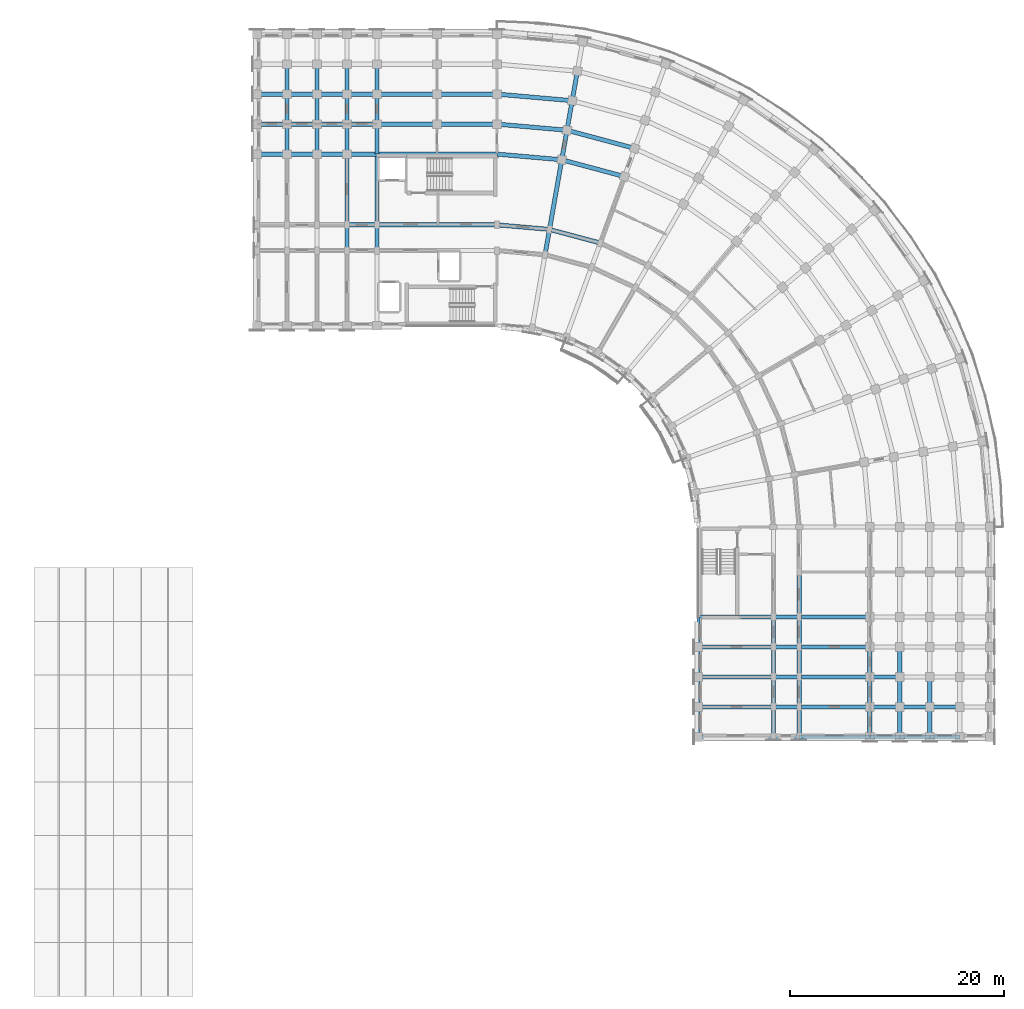
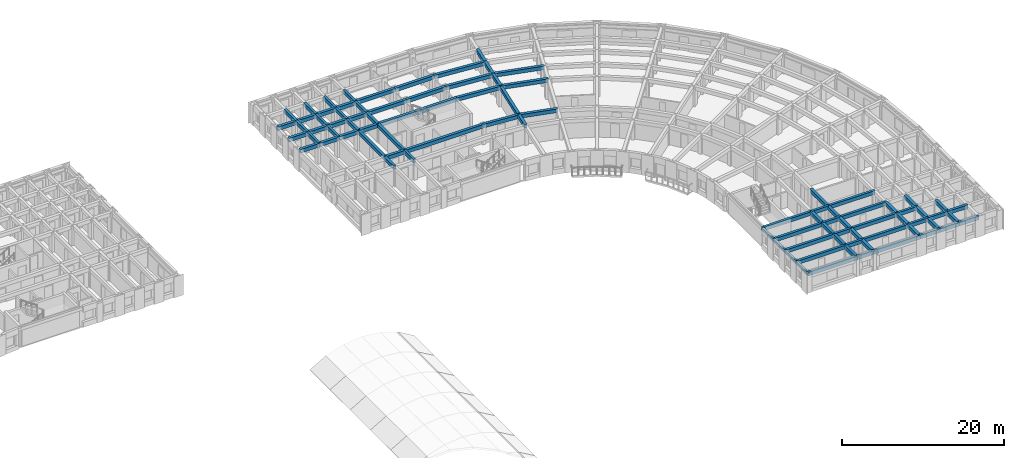
# One storey, part 10 of 54: 90 beams.
"""IFC4 building model written with IfcOpenShell, lengths in metres."""

from ifc_helpers import new_model, si_unit, direction, frame, origin, origin_2d, place, context, subcontext, project, spatial, rectangle, extrude, material, material_profile, profile_set, type_object, element, save


model = new_model("IFC4")

# Units and contexts
model_context = context("Model", 3, precision=1e-05, world=origin(), true_north=direction((0.0, 1.0)))
body_context = subcontext(model_context, "Body", "Model", "MODEL_VIEW")
ifc_project = project(units=[si_unit("LENGTHUNIT", "METRE"), si_unit("AREAUNIT", "SQUARE_METRE"), si_unit("VOLUMEUNIT", "CUBIC_METRE"), si_unit("PLANEANGLEUNIT", "RADIAN"), si_unit("MASSUNIT", "GRAM", prefix="KILO")], contexts=[model_context])

# Site, building, storey
site_placement = place(None, origin())
site = spatial("IfcSite", under=ifc_project, at=site_placement, CompositionType="ELEMENT")
building_placement = place(site_placement, origin())
building = spatial("IfcBuilding", under=site, at=building_placement, Name="Kiranvali Square Residences", CompositionType="ELEMENT")
storey_placement = place(building_placement, frame((0.0, 0.0, 15.0)))
storey = spatial("IfcBuildingStorey", under=building, at=storey_placement, Name="L04", CompositionType="ELEMENT", Elevation=15.0)

# Beams
ifc_material_1 = material(Name="Concrete M40 (40 MPa)", Category="concrete")
ifc_material_profile_1 = material_profile(ifc_material_1, rectangle(XDim=0.35009765625, YDim=0.550048828125, at=origin_2d()), Name="RC 350x550")
ifc_profile_set_1 = profile_set([ifc_material_profile_1], Name="Concrete M40 (40 MPa)")
beam_type_1 = type_object("IfcBeamType", Name="BM-M40-350x550", PredefinedType="BEAM", material=ifc_profile_set_1)
beam_1_placement = place(storey_placement, frame((108.60009765625, 113.60009765625, 2.655029296875), z_axis=(0.0, 1.0, 0.0), x_axis=(-1.0, 0.0, 0.0)))
element("IfcBeam", 1, at=beam_1_placement, inside=storey, type_object=beam_type_1, Name="L04 beam BM-B-L04-A1T1-12", PredefinedType="BEAM", context=body_context, shape_type="SweptSolid", body=[
    extrude(rectangle(XDim=0.35009765625, YDim=0.550048828125, at=origin_2d()), origin(), (0.0, 0.0, 1.0), 2.39990234375),
])
beam_2_placement = place(storey_placement, frame((108.60009765625, 116.0, 2.655029296875), z_axis=(0.0, 1.0, 0.0), x_axis=(-1.0, 0.0, 0.0)))
element("IfcBeam", 2, at=beam_2_placement, inside=storey, type_object=beam_type_1, Name="L04 beam BM-B-L04-A1T1-23", PredefinedType="BEAM", context=body_context, shape_type="SweptSolid", body=[
    extrude(rectangle(XDim=0.35009765625, YDim=0.550048828125, at=origin_2d()), origin(), (0.0, 0.0, 1.0), 6.60009765625),
])
beam_3_placement = place(storey_placement, frame((108.60009765625, 122.60009765625, 2.655029296875), z_axis=(0.0, 1.0, 0.0), x_axis=(-1.0, 0.0, 0.0)))
element("IfcBeam", 3, at=beam_3_placement, inside=storey, type_object=beam_type_1, Name="L04 beam BM-B-L04-A1T1-34", PredefinedType="BEAM", context=body_context, shape_type="SweptSolid", body=[
    extrude(rectangle(XDim=0.35009765625, YDim=0.550048828125, at=origin_2d()), origin(), (0.0, 0.0, 1.0), 2.7998046875),
])
for number, where, z_axis, x_axis, name in (
    (4, (108.60009765625, 125.39990234375, 2.655029296875), (0.0, 1.0, 0.0), (-1.0, 0.0, 0.0), "L04 beam BM-B-L04-A1T1-45"),
    (5, (108.60009765625, 128.199951171875, 2.655029296875), (0.0, 1.0, 0.0), (-1.0, 0.0, 0.0), "L04 beam BM-B-L04-A1T1-56"),
):
    element("IfcBeam", number, at=place(storey_placement, frame(where, z_axis=z_axis, x_axis=x_axis)), inside=storey, type_object=beam_type_1, Name=name, PredefinedType="BEAM", context=body_context, shape_type="SweptSolid", body=[
        extrude(rectangle(XDim=0.35009765625, YDim=0.550048828125, at=origin_2d()), origin(), (0.0, 0.0, 1.0), 2.800048828125),
    ])
beam_4_placement = place(storey_placement, frame((105.800048828125, 113.60009765625, 2.655029296875), z_axis=(0.0, 1.0, 0.0), x_axis=(-1.0, 0.0, 0.0)))
element("IfcBeam", 6, at=beam_4_placement, inside=storey, type_object=beam_type_1, Name="L04 beam BM-B-L04-A1T2-12", PredefinedType="BEAM", context=body_context, shape_type="SweptSolid", body=[
    extrude(rectangle(XDim=0.35009765625, YDim=0.550048828125, at=origin_2d()), origin(), (0.0, 0.0, 1.0), 2.39990234375),
])
beam_5_placement = place(storey_placement, frame((105.800048828125, 116.0, 2.655029296875), z_axis=(0.0, 1.0, 0.0), x_axis=(-1.0, 0.0, 0.0)))
element("IfcBeam", 7, at=beam_5_placement, inside=storey, type_object=beam_type_1, Name="L04 beam BM-B-L04-A1T2-23", PredefinedType="BEAM", context=body_context, shape_type="SweptSolid", body=[
    extrude(rectangle(XDim=0.35009765625, YDim=0.550048828125, at=origin_2d()), origin(), (0.0, 0.0, 1.0), 6.60009765625),
])
beam_6_placement = place(storey_placement, frame((105.800048828125, 122.60009765625, 2.655029296875), z_axis=(0.0, 1.0, 0.0), x_axis=(-1.0, 0.0, 0.0)))
element("IfcBeam", 8, at=beam_6_placement, inside=storey, type_object=beam_type_1, Name="L04 beam BM-B-L04-A1T2-34", PredefinedType="BEAM", context=body_context, shape_type="SweptSolid", body=[
    extrude(rectangle(XDim=0.35009765625, YDim=0.550048828125, at=origin_2d()), origin(), (0.0, 0.0, 1.0), 2.7998046875),
])
for number, where, z_axis, x_axis, name in (
    (9, (105.800048828125, 125.39990234375, 2.655029296875), (0.0, 1.0, 0.0), (-1.0, 0.0, 0.0), "L04 beam BM-B-L04-A1T2-45"),
    (10, (105.800048828125, 128.199951171875, 2.655029296875), (0.0, 1.0, 0.0), (-1.0, 0.0, 0.0), "L04 beam BM-B-L04-A1T2-56"),
):
    element("IfcBeam", number, at=place(storey_placement, frame(where, z_axis=z_axis, x_axis=x_axis)), inside=storey, type_object=beam_type_1, Name=name, PredefinedType="BEAM", context=body_context, shape_type="SweptSolid", body=[
        extrude(rectangle(XDim=0.35009765625, YDim=0.550048828125, at=origin_2d()), origin(), (0.0, 0.0, 1.0), 2.800048828125),
    ])
beam_7_placement = place(storey_placement, frame((103.0, 122.60009765625, 2.655029296875), z_axis=(0.0, 1.0, 0.0), x_axis=(-1.0, 0.0, 0.0)))
element("IfcBeam", 11, at=beam_7_placement, inside=storey, type_object=beam_type_1, Name="L04 beam BM-B-L04-A1T3-34", PredefinedType="BEAM", context=body_context, shape_type="SweptSolid", body=[
    extrude(rectangle(XDim=0.35009765625, YDim=0.550048828125, at=origin_2d()), origin(), (0.0, 0.0, 1.0), 2.7998046875),
])
for number, where, z_axis, x_axis, name in (
    (12, (103.0, 125.39990234375, 2.655029296875), (0.0, 1.0, 0.0), (-1.0, 0.0, 0.0), "L04 beam BM-B-L04-A1T3-45"),
    (13, (103.0, 128.199951171875, 2.655029296875), (0.0, 1.0, 0.0), (-1.0, 0.0, 0.0), "L04 beam BM-B-L04-A1T3-56"),
):
    element("IfcBeam", number, at=place(storey_placement, frame(where, z_axis=z_axis, x_axis=x_axis)), inside=storey, type_object=beam_type_1, Name=name, PredefinedType="BEAM", context=body_context, shape_type="SweptSolid", body=[
        extrude(rectangle(XDim=0.35009765625, YDim=0.550048828125, at=origin_2d()), origin(), (0.0, 0.0, 1.0), 2.800048828125),
    ])
beam_8_placement = place(storey_placement, frame((100.199951171875, 122.60009765625, 2.655029296875), z_axis=(0.0, 1.0, 0.0), x_axis=(-1.0, 0.0, 0.0)))
element("IfcBeam", 14, at=beam_8_placement, inside=storey, type_object=beam_type_1, Name="L04 beam BM-B-L04-A1T4-34", PredefinedType="BEAM", context=body_context, shape_type="SweptSolid", body=[
    extrude(rectangle(XDim=0.35009765625, YDim=0.550048828125, at=origin_2d()), origin(), (0.0, 0.0, 1.0), 2.7998046875),
])
for number, where, z_axis, x_axis, name in (
    (15, (100.199951171875, 125.39990234375, 2.655029296875), (0.0, 1.0, 0.0), (-1.0, 0.0, 0.0), "L04 beam BM-B-L04-A1T4-45"),
    (16, (100.199951171875, 128.199951171875, 2.655029296875), (0.0, 1.0, 0.0), (-1.0, 0.0, 0.0), "L04 beam BM-B-L04-A1T4-56"),
):
    element("IfcBeam", number, at=place(storey_placement, frame(where, z_axis=z_axis, x_axis=x_axis)), inside=storey, type_object=beam_type_1, Name=name, PredefinedType="BEAM", context=body_context, shape_type="SweptSolid", body=[
        extrude(rectangle(XDim=0.35009765625, YDim=0.550048828125, at=origin_2d()), origin(), (0.0, 0.0, 1.0), 2.800048828125),
    ])
beam_9_placement = place(storey_placement, frame((138.60009765625, 79.39990234375, 2.655029296875), z_axis=(1.0, 0.0, 0.0), x_axis=(0.0, 1.0, 0.0)))
element("IfcBeam", 17, at=beam_9_placement, inside=storey, type_object=beam_type_1, Name="L04 beam BM-B-L04-A2T1-01", PredefinedType="BEAM", context=body_context, shape_type="SweptSolid", body=[
    extrude(rectangle(XDim=0.35009765625, YDim=0.550048828125, at=origin_2d()), origin(), (0.0, 0.0, 1.0), 7.0),
])
beam_10_placement = place(storey_placement, frame((145.60009765625, 79.39990234375, 2.655029296875), z_axis=(1.0, 0.0, 0.0), x_axis=(0.0, 1.0, 0.0)))
element("IfcBeam", 18, at=beam_10_placement, inside=storey, type_object=beam_type_1, Name="L04 beam BM-B-L04-A2T1-12", PredefinedType="BEAM", context=body_context, shape_type="SweptSolid", body=[
    extrude(rectangle(XDim=0.35009765625, YDim=0.550048828125, at=origin_2d()), origin(), (0.0, 0.0, 1.0), 2.39990234375),
])
beam_11_placement = place(storey_placement, frame((148.0, 79.39990234375, 2.655029296875), z_axis=(1.0, 0.0, 0.0), x_axis=(0.0, 1.0, 0.0)))
element("IfcBeam", 19, at=beam_11_placement, inside=storey, type_object=beam_type_1, Name="L04 beam BM-B-L04-A2T1-23", PredefinedType="BEAM", context=body_context, shape_type="SweptSolid", body=[
    extrude(rectangle(XDim=0.35009765625, YDim=0.550048828125, at=origin_2d()), origin(), (0.0, 0.0, 1.0), 6.60009765625),
])
beam_12_placement = place(storey_placement, frame((138.60009765625, 76.60009765625, 2.655029296875), z_axis=(1.0, 0.0, 0.0), x_axis=(0.0, 1.0, 0.0)))
element("IfcBeam", 20, at=beam_12_placement, inside=storey, type_object=beam_type_1, Name="L04 beam BM-B-L04-A2T2-01", PredefinedType="BEAM", context=body_context, shape_type="SweptSolid", body=[
    extrude(rectangle(XDim=0.35009765625, YDim=0.550048828125, at=origin_2d()), origin(), (0.0, 0.0, 1.0), 7.0),
])
beam_13_placement = place(storey_placement, frame((145.60009765625, 76.60009765625, 2.655029296875), z_axis=(1.0, 0.0, 0.0), x_axis=(0.0, 1.0, 0.0)))
element("IfcBeam", 21, at=beam_13_placement, inside=storey, type_object=beam_type_1, Name="L04 beam BM-B-L04-A2T2-12", PredefinedType="BEAM", context=body_context, shape_type="SweptSolid", body=[
    extrude(rectangle(XDim=0.35009765625, YDim=0.550048828125, at=origin_2d()), origin(), (0.0, 0.0, 1.0), 2.39990234375),
])
beam_14_placement = place(storey_placement, frame((148.0, 76.60009765625, 2.655029296875), z_axis=(1.0, 0.0, 0.0), x_axis=(0.0, 1.0, 0.0)))
element("IfcBeam", 22, at=beam_14_placement, inside=storey, type_object=beam_type_1, Name="L04 beam BM-B-L04-A2T2-23", PredefinedType="BEAM", context=body_context, shape_type="SweptSolid", body=[
    extrude(rectangle(XDim=0.35009765625, YDim=0.550048828125, at=origin_2d()), origin(), (0.0, 0.0, 1.0), 6.60009765625),
])
beam_15_placement = place(storey_placement, frame((138.60009765625, 73.800048828125, 2.655029296875), z_axis=(1.0, 0.0, 0.0), x_axis=(0.0, 1.0, 0.0)))
element("IfcBeam", 23, at=beam_15_placement, inside=storey, type_object=beam_type_1, Name="L04 beam BM-B-L04-A2T3-01", PredefinedType="BEAM", context=body_context, shape_type="SweptSolid", body=[
    extrude(rectangle(XDim=0.35009765625, YDim=0.550048828125, at=origin_2d()), origin(), (0.0, 0.0, 1.0), 7.0),
])
beam_16_placement = place(storey_placement, frame((145.60009765625, 73.800048828125, 2.655029296875), z_axis=(1.0, 0.0, 0.0), x_axis=(0.0, 1.0, 0.0)))
element("IfcBeam", 24, at=beam_16_placement, inside=storey, type_object=beam_type_1, Name="L04 beam BM-B-L04-A2T3-12", PredefinedType="BEAM", context=body_context, shape_type="SweptSolid", body=[
    extrude(rectangle(XDim=0.35009765625, YDim=0.550048828125, at=origin_2d()), origin(), (0.0, 0.0, 1.0), 2.39990234375),
])
beam_17_placement = place(storey_placement, frame((148.0, 73.800048828125, 2.655029296875), z_axis=(1.0, 0.0, 0.0), x_axis=(0.0, 1.0, 0.0)))
element("IfcBeam", 25, at=beam_17_placement, inside=storey, type_object=beam_type_1, Name="L04 beam BM-B-L04-A2T3-23", PredefinedType="BEAM", context=body_context, shape_type="SweptSolid", body=[
    extrude(rectangle(XDim=0.35009765625, YDim=0.550048828125, at=origin_2d()), origin(), (0.0, 0.0, 1.0), 6.60009765625),
])
beam_18_placement = place(storey_placement, frame((154.60009765625, 73.800048828125, 2.655029296875), z_axis=(1.0, 0.0, 0.0), x_axis=(0.0, 1.0, 0.0)))
element("IfcBeam", 26, at=beam_18_placement, inside=storey, type_object=beam_type_1, Name="L04 beam BM-B-L04-A2T3-34", PredefinedType="BEAM", context=body_context, shape_type="SweptSolid", body=[
    extrude(rectangle(XDim=0.35009765625, YDim=0.550048828125, at=origin_2d()), origin(), (0.0, 0.0, 1.0), 2.7998046875),
])
beam_19_placement = place(storey_placement, frame((138.60009765625, 71.0, 2.655029296875), z_axis=(1.0, 0.0, 0.0), x_axis=(0.0, 1.0, 0.0)))
element("IfcBeam", 27, at=beam_19_placement, inside=storey, type_object=beam_type_1, Name="L04 beam BM-B-L04-A2T4-01", PredefinedType="BEAM", context=body_context, shape_type="SweptSolid", body=[
    extrude(rectangle(XDim=0.35009765625, YDim=0.550048828125, at=origin_2d()), origin(), (0.0, 0.0, 1.0), 7.0),
])
beam_20_placement = place(storey_placement, frame((145.60009765625, 71.0, 2.655029296875), z_axis=(1.0, 0.0, 0.0), x_axis=(0.0, 1.0, 0.0)))
element("IfcBeam", 28, at=beam_20_placement, inside=storey, type_object=beam_type_1, Name="L04 beam BM-B-L04-A2T4-12", PredefinedType="BEAM", context=body_context, shape_type="SweptSolid", body=[
    extrude(rectangle(XDim=0.35009765625, YDim=0.550048828125, at=origin_2d()), origin(), (0.0, 0.0, 1.0), 2.39990234375),
])
beam_21_placement = place(storey_placement, frame((148.0, 71.0, 2.655029296875), z_axis=(1.0, 0.0, 0.0), x_axis=(0.0, 1.0, 0.0)))
element("IfcBeam", 29, at=beam_21_placement, inside=storey, type_object=beam_type_1, Name="L04 beam BM-B-L04-A2T4-23", PredefinedType="BEAM", context=body_context, shape_type="SweptSolid", body=[
    extrude(rectangle(XDim=0.35009765625, YDim=0.550048828125, at=origin_2d()), origin(), (0.0, 0.0, 1.0), 6.60009765625),
])
beam_22_placement = place(storey_placement, frame((154.60009765625, 71.0, 2.655029296875), z_axis=(1.0, 0.0, 0.0), x_axis=(0.0, 1.0, 0.0)))
element("IfcBeam", 30, at=beam_22_placement, inside=storey, type_object=beam_type_1, Name="L04 beam BM-B-L04-A2T4-34", PredefinedType="BEAM", context=body_context, shape_type="SweptSolid", body=[
    extrude(rectangle(XDim=0.35009765625, YDim=0.550048828125, at=origin_2d()), origin(), (0.0, 0.0, 1.0), 2.7998046875),
])
for number, where, z_axis, x_axis, name in (
    (31, (157.39990234375, 71.0, 2.655029296875), (1.0, 0.0, 0.0), (0.0, 1.0, 0.0), "L04 beam BM-B-L04-A2T4-45"),
    (32, (160.199951171875, 71.0, 2.655029296875), (1.0, 0.0, 0.0), (0.0, 1.0, 0.0), "L04 beam BM-B-L04-A2T4-56"),
):
    element("IfcBeam", number, at=place(storey_placement, frame(where, z_axis=z_axis, x_axis=x_axis)), inside=storey, type_object=beam_type_1, Name=name, PredefinedType="BEAM", context=body_context, shape_type="SweptSolid", body=[
        extrude(rectangle(XDim=0.35009765625, YDim=0.550048828125, at=origin_2d()), origin(), (0.0, 0.0, 1.0), 2.800048828125),
    ])
beam_23_placement = place(storey_placement, frame((138.60009765625, 68.199951171875, 2.655029296875), z_axis=(1.0, 0.0, 0.0), x_axis=(0.0, 1.0, 0.0)))
element("IfcBeam", 33, at=beam_23_placement, inside=storey, type_object=beam_type_1, Name="L04 beam BM-B-L04-A2T5-01", PredefinedType="BEAM", context=body_context, shape_type="SweptSolid", body=[
    extrude(rectangle(XDim=0.35009765625, YDim=0.550048828125, at=origin_2d()), origin(), (0.0, 0.0, 1.0), 7.0),
])
beam_24_placement = place(storey_placement, frame((145.60009765625, 68.199951171875, 2.655029296875), z_axis=(1.0, 0.0, 0.0), x_axis=(0.0, 1.0, 0.0)))
element("IfcBeam", 34, at=beam_24_placement, inside=storey, type_object=beam_type_1, Name="L04 beam BM-B-L04-A2T5-12", PredefinedType="BEAM", context=body_context, shape_type="SweptSolid", body=[
    extrude(rectangle(XDim=0.35009765625, YDim=0.550048828125, at=origin_2d()), origin(), (0.0, 0.0, 1.0), 2.39990234375),
])
beam_25_placement = place(storey_placement, frame((148.0, 68.199951171875, 2.655029296875), z_axis=(1.0, 0.0, 0.0), x_axis=(0.0, 1.0, 0.0)))
element("IfcBeam", 35, at=beam_25_placement, inside=storey, type_object=beam_type_1, Name="L04 beam BM-B-L04-A2T5-23", PredefinedType="BEAM", context=body_context, shape_type="SweptSolid", body=[
    extrude(rectangle(XDim=0.35009765625, YDim=0.550048828125, at=origin_2d()), origin(), (0.0, 0.0, 1.0), 6.60009765625),
])
beam_26_placement = place(storey_placement, frame((154.60009765625, 68.199951171875, 2.655029296875), z_axis=(1.0, 0.0, 0.0), x_axis=(0.0, 1.0, 0.0)))
element("IfcBeam", 36, at=beam_26_placement, inside=storey, type_object=beam_type_1, Name="L04 beam BM-B-L04-A2T5-34", PredefinedType="BEAM", context=body_context, shape_type="SweptSolid", body=[
    extrude(rectangle(XDim=0.35009765625, YDim=0.550048828125, at=origin_2d()), origin(), (0.0, 0.0, 1.0), 2.7998046875),
])
for number, where, z_axis, x_axis, name in (
    (37, (157.39990234375, 68.199951171875, 2.655029296875), (1.0, 0.0, 0.0), (0.0, 1.0, 0.0), "L04 beam BM-B-L04-A2T5-45"),
    (38, (160.199951171875, 68.199951171875, 2.655029296875), (1.0, 0.0, 0.0), (0.0, 1.0, 0.0), "L04 beam BM-B-L04-A2T5-56"),
):
    element("IfcBeam", number, at=place(storey_placement, frame(where, z_axis=z_axis, x_axis=x_axis)), inside=storey, type_object=beam_type_1, Name=name, PredefinedType="BEAM", context=body_context, shape_type="SweptSolid", body=[
        extrude(rectangle(XDim=0.35009765625, YDim=0.550048828125, at=origin_2d()), origin(), (0.0, 0.0, 1.0), 2.800048828125),
    ])
ifc_material_2 = material(Name="Concrete M45 (45 MPa)", Category="concrete")
ifc_material_profile_2 = material_profile(ifc_material_2, rectangle(XDim=0.39990234375, YDim=0.550048828125, at=origin_2d()), Name="RC 400x550")
ifc_profile_set_2 = profile_set([ifc_material_profile_2], Name="Concrete M45 (45 MPa)")
beam_type_2 = type_object("IfcBeamType", Name="BM-M45-400x550", PredefinedType="BEAM", material=ifc_profile_set_2)
beam_27_placement = place(storey_placement, frame((119.800048828125, 116.0, 2.655029296875), z_axis=(0.996193663584, -0.087167566415, 0.0), x_axis=(0.087167566415, 0.996193663584, 0.0)))
element("IfcBeam", 39, at=beam_27_placement, inside=storey, type_object=beam_type_2, Name="L04 beam BM-B-L04-C00-R2", PredefinedType="BEAM", context=body_context, shape_type="SweptSolid", body=[
    extrude(rectangle(XDim=0.39990234375, YDim=0.550048828125, at=origin_2d()), origin(), (0.0, 0.0, 1.0), 4.91552734375),
])
beam_28_placement = place(storey_placement, frame((119.800048828125, 122.60009765625, 2.655029296875), z_axis=(0.996193018494, -0.087174938512, 0.0), x_axis=(0.087174938512, 0.996193018494, 0.0)))
element("IfcBeam", 40, at=beam_28_placement, inside=storey, type_object=beam_type_2, Name="L04 beam BM-B-L04-C00-R3", PredefinedType="BEAM", context=body_context, shape_type="SweptSolid", body=[
    extrude(rectangle(XDim=0.39990234375, YDim=0.550048828125, at=origin_2d()), origin(), (0.0, 0.0, 1.0), 6.066162109375),
])
beam_29_placement = place(storey_placement, frame((119.800048828125, 125.39990234375, 2.655029296875), z_axis=(0.996196991902, -0.0871295204, 0.0), x_axis=(0.0871295204, 0.996196991902, 0.0)))
element("IfcBeam", 41, at=beam_29_placement, inside=storey, type_object=beam_type_2, Name="L04 beam BM-B-L04-C00-R4", PredefinedType="BEAM", context=body_context, shape_type="SweptSolid", body=[
    extrude(rectangle(XDim=0.39990234375, YDim=0.550048828125, at=origin_2d()), origin(), (0.0, 0.0, 1.0), 6.553955078125),
])
beam_30_placement = place(storey_placement, frame((119.800048828125, 128.199951171875, 2.655029296875), z_axis=(0.996194658198, -0.087156198737, 0.0), x_axis=(0.087156198737, 0.996194658198, 0.0)))
element("IfcBeam", 42, at=beam_30_placement, inside=storey, type_object=beam_type_2, Name="L04 beam BM-B-L04-C00-R5", PredefinedType="BEAM", context=body_context, shape_type="SweptSolid", body=[
    extrude(rectangle(XDim=0.39990234375, YDim=0.550048828125, at=origin_2d()), origin(), (0.0, 0.0, 1.0), 7.042236328125),
])
beam_31_placement = place(storey_placement, frame((124.69677734375, 115.571533203125, 2.655029296875), z_axis=(0.965930095386, -0.258803112091, 0.0), x_axis=(0.258803112091, 0.965930095386, 0.0)))
element("IfcBeam", 43, at=beam_31_placement, inside=storey, type_object=beam_type_2, Name="L04 beam BM-B-L04-C01-R2", PredefinedType="BEAM", context=body_context, shape_type="SweptSolid", body=[
    extrude(rectangle(XDim=0.39990234375, YDim=0.550048828125, at=origin_2d()), origin(), (0.0, 0.0, 1.0), 4.915771484375),
])
beam_32_placement = place(storey_placement, frame((125.843017578125, 122.0712890625, 2.655029296875), z_axis=(0.965923618901, -0.258827283048, 0.0), x_axis=(0.258827283048, 0.965923618901, 0.0)))
element("IfcBeam", 44, at=beam_32_placement, inside=storey, type_object=beam_type_2, Name="L04 beam BM-B-L04-C01-R3", PredefinedType="BEAM", context=body_context, shape_type="SweptSolid", body=[
    extrude(rectangle(XDim=0.39990234375, YDim=0.550048828125, at=origin_2d()), origin(), (0.0, 0.0, 1.0), 6.066162109375),
])
beam_33_placement = place(storey_placement, frame((126.3291015625, 124.828857421875, 2.655029296875), z_axis=(0.965918287583, -0.258847178297, 0.0), x_axis=(0.258847178297, 0.965918287583, 0.0)))
element("IfcBeam", 45, at=beam_33_placement, inside=storey, type_object=beam_type_2, Name="L04 beam BM-B-L04-C01-R4", PredefinedType="BEAM", context=body_context, shape_type="SweptSolid", body=[
    extrude(rectangle(XDim=0.39990234375, YDim=0.550048828125, at=origin_2d()), origin(), (0.0, 0.0, 1.0), 6.55419921875),
])
beam_34_placement = place(storey_placement, frame((124.280029296875, 113.2080078125, 2.655029296875), z_axis=(0.173646056486, 0.984808127031, 0.0), x_axis=(-0.984808127031, 0.173646056486, 0.0)))
element("IfcBeam", 46, at=beam_34_placement, inside=storey, type_object=beam_type_2, Name="L04 beam BM-B-L04-RAD01-12", PredefinedType="BEAM", context=body_context, shape_type="SweptSolid", body=[
    extrude(rectangle(XDim=0.39990234375, YDim=0.550048828125, at=origin_2d()), origin(), (0.0, 0.0, 1.0), 2.39990234375),
])
beam_35_placement = place(storey_placement, frame((124.69677734375, 115.571533203125, 2.655029296875), z_axis=(0.173671381499, 0.984803661269, 0.0), x_axis=(-0.984803661269, 0.173671381499, 0.0)))
element("IfcBeam", 47, at=beam_35_placement, inside=storey, type_object=beam_type_2, Name="L04 beam BM-B-L04-RAD01-23", PredefinedType="BEAM", context=body_context, shape_type="SweptSolid", body=[
    extrude(rectangle(XDim=0.39990234375, YDim=0.550048828125, at=origin_2d()), origin(), (0.0, 0.0, 1.0), 6.60009765625),
])
beam_36_placement = place(storey_placement, frame((125.843017578125, 122.0712890625, 2.655029296875), z_axis=(0.173596320392, 0.984816895441, 0.0), x_axis=(-0.984816895441, 0.173596320392, 0.0)))
element("IfcBeam", 48, at=beam_36_placement, inside=storey, type_object=beam_type_2, Name="L04 beam BM-B-L04-RAD01-34", PredefinedType="BEAM", context=body_context, shape_type="SweptSolid", body=[
    extrude(rectangle(XDim=0.39990234375, YDim=0.550048828125, at=origin_2d()), origin(), (0.0, 0.0, 1.0), 2.800048828125),
])
beam_37_placement = place(storey_placement, frame((126.3291015625, 124.828857421875, 2.655029296875), z_axis=(0.173695795656, 0.984799355489, 0.0), x_axis=(-0.984799355489, 0.173695795656, 0.0)))
element("IfcBeam", 49, at=beam_37_placement, inside=storey, type_object=beam_type_2, Name="L04 beam BM-B-L04-RAD01-45", PredefinedType="BEAM", context=body_context, shape_type="SweptSolid", body=[
    extrude(rectangle(XDim=0.39990234375, YDim=0.550048828125, at=origin_2d()), origin(), (0.0, 0.0, 1.0), 2.7998046875),
])
beam_38_placement = place(storey_placement, frame((126.8154296875, 127.586181640625, 2.655029296875), z_axis=(0.173596320392, 0.984816895441, 0.0), x_axis=(-0.984816895441, 0.173596320392, 0.0)))
element("IfcBeam", 50, at=beam_38_placement, inside=storey, type_object=beam_type_2, Name="L04 beam BM-B-L04-RAD01-56", PredefinedType="BEAM", context=body_context, shape_type="SweptSolid", body=[
    extrude(rectangle(XDim=0.39990234375, YDim=0.550048828125, at=origin_2d()), origin(), (0.0, 0.0, 1.0), 2.800048828125),
])
beam_39_placement = place(storey_placement, frame((119.800048828125, 116.0, 2.655029296875), z_axis=(-1.0, 0.0, 0.0), x_axis=(0.0, -1.0, 0.0)))
element("IfcBeam", 51, at=beam_39_placement, inside=storey, type_object=beam_type_2, Name="L04 beam BM-B-L04-A1U0-R2", PredefinedType="BEAM", context=body_context, shape_type="SweptSolid", body=[
    extrude(rectangle(XDim=0.39990234375, YDim=0.550048828125, at=origin_2d()), origin(), (0.0, 0.0, 1.0), 11.199951171875),
])
beam_40_placement = place(storey_placement, frame((108.60009765625, 116.0, 2.655029296875), z_axis=(-1.0, 0.0, 0.0), x_axis=(0.0, -1.0, 0.0)))
element("IfcBeam", 52, at=beam_40_placement, inside=storey, type_object=beam_type_2, Name="L04 beam BM-B-L04-A1U1-R2", PredefinedType="BEAM", context=body_context, shape_type="SweptSolid", body=[
    extrude(rectangle(XDim=0.39990234375, YDim=0.550048828125, at=origin_2d()), origin(), (0.0, 0.0, 1.0), 2.800048828125),
])
beam_41_placement = place(storey_placement, frame((119.800048828125, 122.60009765625, 2.655029296875), z_axis=(-1.0, 0.0, 0.0), x_axis=(0.0, -1.0, 0.0)))
element("IfcBeam", 53, at=beam_41_placement, inside=storey, type_object=beam_type_2, Name="L04 beam BM-B-L04-A1U0-R3", PredefinedType="BEAM", context=body_context, shape_type="SweptSolid", body=[
    extrude(rectangle(XDim=0.39990234375, YDim=0.550048828125, at=origin_2d()), origin(), (0.0, 0.0, 1.0), 11.199951171875),
])
for number, where, z_axis, x_axis, name in (
    (54, (108.60009765625, 122.60009765625, 2.655029296875), (-1.0, 0.0, 0.0), (0.0, -1.0, 0.0), "L04 beam BM-B-L04-A1U1-R3"),
    (55, (105.800048828125, 122.60009765625, 2.655029296875), (-1.0, 0.0, 0.0), (0.0, -1.0, 0.0), "L04 beam BM-B-L04-A1U2-R3"),
    (56, (103.0, 122.60009765625, 2.655029296875), (-1.0, 0.0, 0.0), (0.0, -1.0, 0.0), "L04 beam BM-B-L04-A1U3-R3"),
    (57, (100.199951171875, 122.60009765625, 2.655029296875), (-1.0, 0.0, 0.0), (0.0, -1.0, 0.0), "L04 beam BM-B-L04-A1U4-R3"),
):
    element("IfcBeam", number, at=place(storey_placement, frame(where, z_axis=z_axis, x_axis=x_axis)), inside=storey, type_object=beam_type_2, Name=name, PredefinedType="BEAM", context=body_context, shape_type="SweptSolid", body=[
        extrude(rectangle(XDim=0.39990234375, YDim=0.550048828125, at=origin_2d()), origin(), (0.0, 0.0, 1.0), 2.800048828125),
    ])
beam_42_placement = place(storey_placement, frame((119.800048828125, 125.39990234375, 2.655029296875), z_axis=(-1.0, 0.0, 0.0), x_axis=(0.0, -1.0, 0.0)))
element("IfcBeam", 58, at=beam_42_placement, inside=storey, type_object=beam_type_2, Name="L04 beam BM-B-L04-A1U0-R4", PredefinedType="BEAM", context=body_context, shape_type="SweptSolid", body=[
    extrude(rectangle(XDim=0.39990234375, YDim=0.550048828125, at=origin_2d()), origin(), (0.0, 0.0, 1.0), 5.60009765625),
])
beam_43_placement = place(storey_placement, frame((114.199951171875, 125.39990234375, 2.655029296875), z_axis=(-1.0, 0.0, 0.0), x_axis=(0.0, -1.0, 0.0)))
element("IfcBeam", 59, at=beam_43_placement, inside=storey, type_object=beam_type_2, Name="L04 beam BM-B-L04-A1U1-R4", PredefinedType="BEAM", context=body_context, shape_type="SweptSolid", body=[
    extrude(rectangle(XDim=0.39990234375, YDim=0.550048828125, at=origin_2d()), origin(), (0.0, 0.0, 1.0), 5.599853515625),
])
for number, where, z_axis, x_axis, name in (
    (60, (108.60009765625, 125.39990234375, 2.655029296875), (-1.0, 0.0, 0.0), (0.0, -1.0, 0.0), "L04 beam BM-B-L04-A1U2-R4"),
    (61, (105.800048828125, 125.39990234375, 2.655029296875), (-1.0, 0.0, 0.0), (0.0, -1.0, 0.0), "L04 beam BM-B-L04-A1U3-R4"),
    (62, (103.0, 125.39990234375, 2.655029296875), (-1.0, 0.0, 0.0), (0.0, -1.0, 0.0), "L04 beam BM-B-L04-A1U4-R4"),
    (63, (100.199951171875, 125.39990234375, 2.655029296875), (-1.0, 0.0, 0.0), (0.0, -1.0, 0.0), "L04 beam BM-B-L04-A1U5-R4"),
):
    element("IfcBeam", number, at=place(storey_placement, frame(where, z_axis=z_axis, x_axis=x_axis)), inside=storey, type_object=beam_type_2, Name=name, PredefinedType="BEAM", context=body_context, shape_type="SweptSolid", body=[
        extrude(rectangle(XDim=0.39990234375, YDim=0.550048828125, at=origin_2d()), origin(), (0.0, 0.0, 1.0), 2.800048828125),
    ])
beam_44_placement = place(storey_placement, frame((119.800048828125, 128.199951171875, 2.655029296875), z_axis=(-1.0, 0.0, 0.0), x_axis=(0.0, -1.0, 0.0)))
element("IfcBeam", 64, at=beam_44_placement, inside=storey, type_object=beam_type_2, Name="L04 beam BM-B-L04-A1U0-R5", PredefinedType="BEAM", context=body_context, shape_type="SweptSolid", body=[
    extrude(rectangle(XDim=0.39990234375, YDim=0.550048828125, at=origin_2d()), origin(), (0.0, 0.0, 1.0), 5.60009765625),
])
beam_45_placement = place(storey_placement, frame((114.199951171875, 128.199951171875, 2.655029296875), z_axis=(-1.0, 0.0, 0.0), x_axis=(0.0, -1.0, 0.0)))
element("IfcBeam", 65, at=beam_45_placement, inside=storey, type_object=beam_type_2, Name="L04 beam BM-B-L04-A1U1-R5", PredefinedType="BEAM", context=body_context, shape_type="SweptSolid", body=[
    extrude(rectangle(XDim=0.39990234375, YDim=0.550048828125, at=origin_2d()), origin(), (0.0, 0.0, 1.0), 5.599853515625),
])
for number, where, z_axis, x_axis, name in (
    (66, (108.60009765625, 128.199951171875, 2.655029296875), (-1.0, 0.0, 0.0), (0.0, -1.0, 0.0), "L04 beam BM-B-L04-A1U2-R5"),
    (67, (105.800048828125, 128.199951171875, 2.655029296875), (-1.0, 0.0, 0.0), (0.0, -1.0, 0.0), "L04 beam BM-B-L04-A1U3-R5"),
    (68, (103.0, 128.199951171875, 2.655029296875), (-1.0, 0.0, 0.0), (0.0, -1.0, 0.0), "L04 beam BM-B-L04-A1U4-R5"),
    (69, (100.199951171875, 128.199951171875, 2.655029296875), (-1.0, 0.0, 0.0), (0.0, -1.0, 0.0), "L04 beam BM-B-L04-A1U5-R5"),
):
    element("IfcBeam", number, at=place(storey_placement, frame(where, z_axis=z_axis, x_axis=x_axis)), inside=storey, type_object=beam_type_2, Name=name, PredefinedType="BEAM", context=body_context, shape_type="SweptSolid", body=[
        extrude(rectangle(XDim=0.39990234375, YDim=0.550048828125, at=origin_2d()), origin(), (0.0, 0.0, 1.0), 2.800048828125),
    ])
beam_46_placement = place(storey_placement, frame((145.60009765625, 79.39990234375, 2.655029296875), z_axis=(0.0, -1.0, 0.0), x_axis=(1.0, 0.0, 0.0)))
element("IfcBeam", 70, at=beam_46_placement, inside=storey, type_object=beam_type_2, Name="L04 beam BM-B-L04-A2V1-R1", PredefinedType="BEAM", context=body_context, shape_type="SweptSolid", body=[
    extrude(rectangle(XDim=0.39990234375, YDim=0.550048828125, at=origin_2d()), origin(), (0.0, 0.0, 1.0), 2.7998046875),
])
for number, where, z_axis, x_axis, name in (
    (71, (145.60009765625, 76.60009765625, 2.655029296875), (0.0, -1.0, 0.0), (1.0, 0.0, 0.0), "L04 beam BM-B-L04-A2V2-R1"),
    (72, (145.60009765625, 73.800048828125, 2.655029296875), (0.0, -1.0, 0.0), (1.0, 0.0, 0.0), "L04 beam BM-B-L04-A2V3-R1"),
    (73, (145.60009765625, 71.0, 2.655029296875), (0.0, -1.0, 0.0), (1.0, 0.0, 0.0), "L04 beam BM-B-L04-A2V4-R1"),
):
    element("IfcBeam", number, at=place(storey_placement, frame(where, z_axis=z_axis, x_axis=x_axis)), inside=storey, type_object=beam_type_2, Name=name, PredefinedType="BEAM", context=body_context, shape_type="SweptSolid", body=[
        extrude(rectangle(XDim=0.39990234375, YDim=0.550048828125, at=origin_2d()), origin(), (0.0, 0.0, 1.0), 2.800048828125),
    ])
beam_47_placement = place(storey_placement, frame((148.0, 83.60009765625, 2.655029296875), z_axis=(0.0, -1.0, 0.0), x_axis=(1.0, 0.0, 0.0)))
element("IfcBeam", 74, at=beam_47_placement, inside=storey, type_object=beam_type_2, Name="L04 beam BM-B-L04-A2V1-R2", PredefinedType="BEAM", context=body_context, shape_type="SweptSolid", body=[
    extrude(rectangle(XDim=0.39990234375, YDim=0.550048828125, at=origin_2d()), origin(), (0.0, 0.0, 1.0), 4.2001953125),
])
beam_48_placement = place(storey_placement, frame((148.0, 79.39990234375, 2.655029296875), z_axis=(0.0, -1.0, 0.0), x_axis=(1.0, 0.0, 0.0)))
element("IfcBeam", 75, at=beam_48_placement, inside=storey, type_object=beam_type_2, Name="L04 beam BM-B-L04-A2V2-R2", PredefinedType="BEAM", context=body_context, shape_type="SweptSolid", body=[
    extrude(rectangle(XDim=0.39990234375, YDim=0.550048828125, at=origin_2d()), origin(), (0.0, 0.0, 1.0), 2.7998046875),
])
for number, where, z_axis, x_axis, name in (
    (76, (148.0, 76.60009765625, 2.655029296875), (0.0, -1.0, 0.0), (1.0, 0.0, 0.0), "L04 beam BM-B-L04-A2V3-R2"),
    (77, (148.0, 73.800048828125, 2.655029296875), (0.0, -1.0, 0.0), (1.0, 0.0, 0.0), "L04 beam BM-B-L04-A2V4-R2"),
    (78, (148.0, 71.0, 2.655029296875), (0.0, -1.0, 0.0), (1.0, 0.0, 0.0), "L04 beam BM-B-L04-A2V5-R2"),
    (79, (154.60009765625, 76.60009765625, 2.655029296875), (0.0, -1.0, 0.0), (1.0, 0.0, 0.0), "L04 beam BM-B-L04-A2V3-R3"),
    (80, (154.60009765625, 73.800048828125, 2.655029296875), (0.0, -1.0, 0.0), (1.0, 0.0, 0.0), "L04 beam BM-B-L04-A2V4-R3"),
    (81, (154.60009765625, 71.0, 2.655029296875), (0.0, -1.0, 0.0), (1.0, 0.0, 0.0), "L04 beam BM-B-L04-A2V5-R3"),
    (82, (157.39990234375, 76.60009765625, 2.655029296875), (0.0, -1.0, 0.0), (1.0, 0.0, 0.0), "L04 beam BM-B-L04-A2V3-R4"),
    (83, (157.39990234375, 73.800048828125, 2.655029296875), (0.0, -1.0, 0.0), (1.0, 0.0, 0.0), "L04 beam BM-B-L04-A2V4-R4"),
    (84, (157.39990234375, 71.0, 2.655029296875), (0.0, -1.0, 0.0), (1.0, 0.0, 0.0), "L04 beam BM-B-L04-A2V5-R4"),
    (85, (160.199951171875, 73.800048828125, 2.655029296875), (0.0, -1.0, 0.0), (1.0, 0.0, 0.0), "L04 beam BM-B-L04-A2V4-R5"),
    (86, (160.199951171875, 71.0, 2.655029296875), (0.0, -1.0, 0.0), (1.0, 0.0, 0.0), "L04 beam BM-B-L04-A2V5-R5"),
):
    element("IfcBeam", number, at=place(storey_placement, frame(where, z_axis=z_axis, x_axis=x_axis)), inside=storey, type_object=beam_type_2, Name=name, PredefinedType="BEAM", context=body_context, shape_type="SweptSolid", body=[
        extrude(rectangle(XDim=0.39990234375, YDim=0.550048828125, at=origin_2d()), origin(), (0.0, 0.0, 1.0), 2.800048828125),
    ])
ifc_material_profile_3 = material_profile(ifc_material_1, rectangle(XDim=0.25, YDim=0.449951171875, at=origin_2d()), Name="RC 250x450")
ifc_profile_set_3 = profile_set([ifc_material_profile_3], Name="Concrete M40 (40 MPa)")
beam_type_3 = type_object("IfcBeamType", Name="SPN-M40-250x450", PredefinedType="SPANDREL", material=ifc_profile_set_3)
beam_49_placement = place(storey_placement, frame((138.60009765625, 79.39990234375, 2.705078125), z_axis=(0.0, -1.0, 0.0), x_axis=(1.0, 0.0, 0.0)))
element("IfcBeam", 87, at=beam_49_placement, inside=storey, type_object=beam_type_3, Name="L04 beam BM-B-L04-A2V1-R0", PredefinedType="SPANDREL", context=body_context, shape_type="SweptSolid", body=[
    extrude(rectangle(XDim=0.25, YDim=0.449951171875, at=origin_2d()), origin(), (0.0, 0.0, 1.0), 2.7998046875),
])
for number, where, z_axis, x_axis, name in (
    (88, (138.60009765625, 76.60009765625, 2.705078125), (0.0, -1.0, 0.0), (1.0, 0.0, 0.0), "L04 beam BM-B-L04-A2V2-R0"),
    (89, (138.60009765625, 73.800048828125, 2.705078125), (0.0, -1.0, 0.0), (1.0, 0.0, 0.0), "L04 beam BM-B-L04-A2V3-R0"),
    (90, (138.60009765625, 71.0, 2.705078125), (0.0, -1.0, 0.0), (1.0, 0.0, 0.0), "L04 beam BM-B-L04-A2V4-R0"),
):
    element("IfcBeam", number, at=place(storey_placement, frame(where, z_axis=z_axis, x_axis=x_axis)), inside=storey, type_object=beam_type_3, Name=name, PredefinedType="SPANDREL", context=body_context, shape_type="SweptSolid", body=[
        extrude(rectangle(XDim=0.25, YDim=0.449951171875, at=origin_2d()), origin(), (0.0, 0.0, 1.0), 2.800048828125),
    ])

save(model, "model.ifc")
